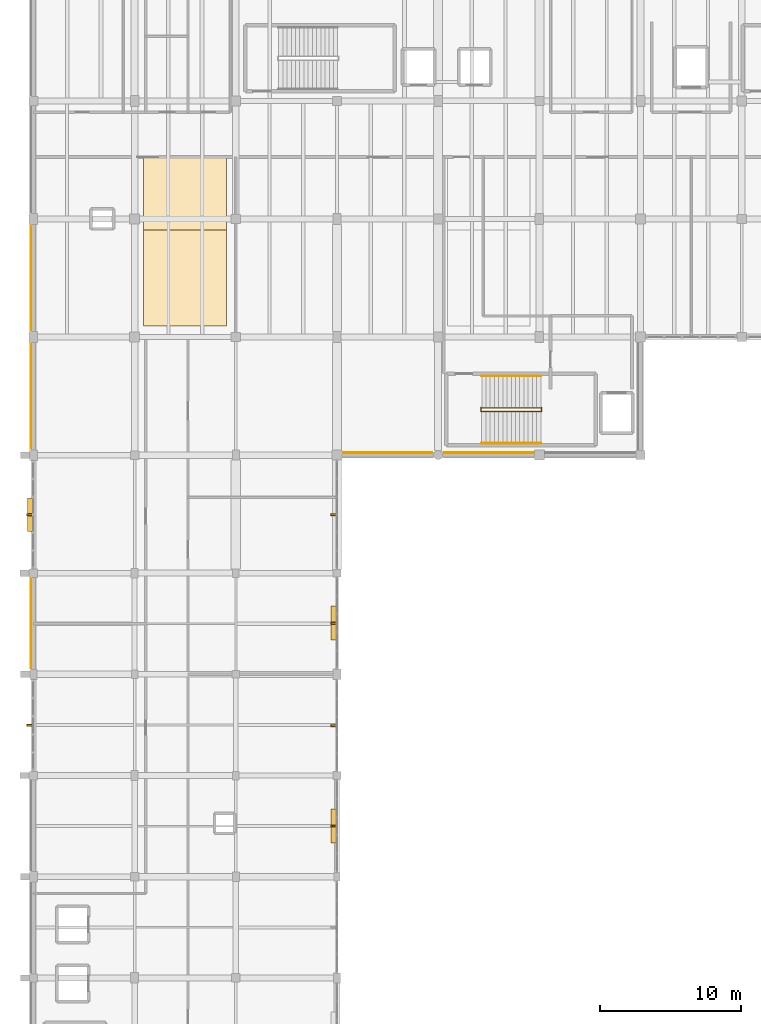
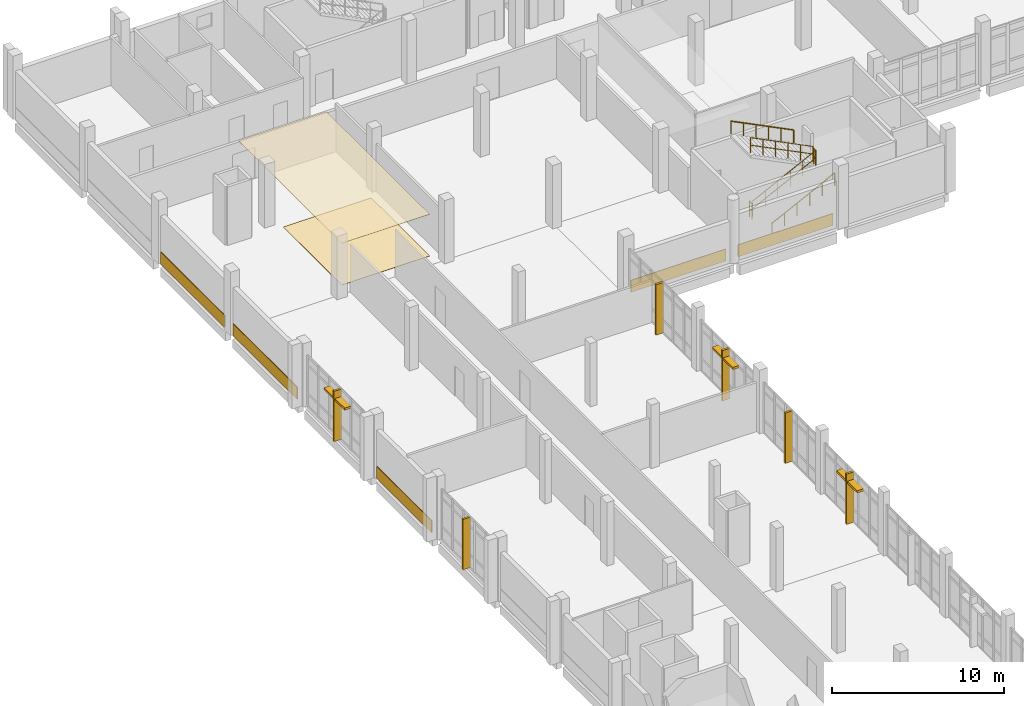
# One storey, part 54 of 57: 9 shading devices, 7 coverings, 6 railings.
"""IFC4 building model written with IfcOpenShell, lengths in metres."""

from ifc_helpers import new_model, si_unit, direction, frame, origin, origin_2d, place, context, subcontext, project, spatial, polyline, rectangle, circle, outline, extrude, material, layer, layer_set, type_object, element, save


model = new_model("IFC4")

# Units and contexts
model_context = context("Model", 3, precision=1e-05, world=origin(), true_north=direction((0.0, 1.0)))
body_context = subcontext(model_context, "Body", "Model", "MODEL_VIEW")
ifc_project = project(units=[si_unit("LENGTHUNIT", "METRE"), si_unit("AREAUNIT", "SQUARE_METRE"), si_unit("VOLUMEUNIT", "CUBIC_METRE"), si_unit("PLANEANGLEUNIT", "RADIAN"), si_unit("MASSUNIT", "GRAM", prefix="KILO")], contexts=[model_context])

# Site, building, storey
site_placement = place(None, origin())
site = spatial("IfcSite", under=ifc_project, at=site_placement, CompositionType="ELEMENT")
building_placement = place(site_placement, origin())
building = spatial("IfcBuilding", under=site, at=building_placement, Name="Kalluvel Institute of Natural Sciences", CompositionType="ELEMENT")
storey_placement = place(building_placement, frame((0.0, 0.0, 23.39990234375)))
storey = spatial("IfcBuildingStorey", under=building, at=storey_placement, Name="L05", CompositionType="ELEMENT", Elevation=23.39990234375)

# Coverings
ifc_material_1 = material(Name="Perforated Mineral-Fibre Acoustic Tile", Category="gypsum")
ifc_layer_1 = layer(ifc_material_1, 0.02490234375)
ifc_layer_set_1 = layer_set([ifc_layer_1], Name="Perforated Mineral-Fibre Acoustic Tile")
covering_type_1 = type_object("IfcCoveringType", Name="COV-CEIL-600", PredefinedType="CEILING", material=ifc_layer_set_1)
covering_1_placement = place(storey_placement, frame((0.0, 0.0, 2.9501953125)))
element("IfcCovering", 1, at=covering_1_placement, inside=storey, type_object=covering_type_1, Name="L05 laboratory acoustic ceiling panel 11", PredefinedType="CEILING", context=body_context, shape_type="SweptSolid", body=[
    extrude(outline(polyline([(21.85009765625, 103.60009765625), (27.75, 103.60009765625), (27.75, 115.60009765625), (21.85009765625, 115.60009765625), (21.85009765625, 103.60009765625)])), origin(), (0.0, 0.0, 1.0), 0.02490234375),
])
ifc_material_2 = material(Name="Sadarahalli Grey Granite Ashlar Concrete M40", Category="masonry")
ifc_layer_2 = layer(ifc_material_2, 0.044921875)
ifc_layer_set_2 = layer_set([ifc_layer_2], Name="Sadarahalli Grey Granite Ashlar Concrete M40")
covering_type_2 = type_object("IfcCoveringType", Name="COV-CLAD-STONE", PredefinedType="CLADDING", material=ifc_layer_set_2)
covering_2_placement = place(storey_placement, frame((13.820068359375, 107.0, 0.025146484375), z_axis=(0.0, 0.0, 1.0), x_axis=(0.0, 1.0, 0.0)))
element("IfcCovering", 2, at=covering_2_placement, inside=storey, type_object=covering_type_2, Name="L05 Sadarahalli granite plinth spandrel cladding 68", PredefinedType="CLADDING", context=body_context, shape_type="SweptSolid", body=[
    extrude(rectangle(XDim=7.43994140625, YDim=0.044921875, at=origin_2d()), origin(), (0.0, 0.0, 1.0), 0.85009765625),
])
for number, where, z_axis, x_axis, name in (
    (3, (39.21240234375, 94.570068359375, 0.025146484375), (0.0, 0.0, 1.0), (1.0, 0.0, 0.0), "L05 Sadarahalli granite plinth spandrel cladding 111"),
    (4, (46.387451171875, 94.570068359375, 0.025146484375), (0.0, 0.0, 1.0), (1.0, 0.0, 0.0), "L05 Sadarahalli granite plinth spandrel cladding 112"),
):
    element("IfcCovering", number, at=place(storey_placement, frame(where, z_axis=z_axis, x_axis=x_axis)), inside=storey, type_object=covering_type_2, Name=name, PredefinedType="CLADDING", context=body_context, shape_type="SweptSolid", body=[
        extrude(rectangle(XDim=6.364990234375, YDim=0.044921875, at=origin_2d()), origin(), (0.0, 0.0, 1.0), 0.85009765625),
    ])
covering_3_placement = place(storey_placement, frame((13.830078125, 82.425048828125, 0.025146484375), z_axis=(0.0, 0.0, 1.0), x_axis=(0.0, 1.0, 0.0)))
element("IfcCovering", 5, at=covering_3_placement, inside=storey, type_object=covering_type_2, Name="L05 Sadarahalli granite plinth spandrel cladding 187", PredefinedType="CLADDING", context=body_context, shape_type="SweptSolid", body=[
    extrude(rectangle(XDim=6.389892578125, YDim=0.044921875, at=origin_2d()), origin(), (0.0, 0.0, 1.0), 0.85009765625),
])
covering_4_placement = place(storey_placement, frame((13.830078125, 98.58740234375, 0.025146484375), z_axis=(0.0, 0.0, 1.0), x_axis=(0.0, 1.0, 0.0)))
element("IfcCovering", 6, at=covering_4_placement, inside=storey, type_object=covering_type_2, Name="L05 Sadarahalli granite plinth spandrel cladding 188", PredefinedType="CLADDING", context=body_context, shape_type="SweptSolid", body=[
    extrude(rectangle(XDim=7.465087890625, YDim=0.044921875, at=origin_2d()), origin(), (0.0, 0.0, 1.0), 0.85009765625),
])
ifc_material_3 = material(Name="Seamless Chemical-Resistant Epoxy Flooring", Category="resin")
ifc_layer_3 = layer(ifc_material_3, 0.014892578125)
ifc_layer_set_3 = layer_set([ifc_layer_3], Name="Seamless Chemical-Resistant Epoxy Flooring")
covering_type_3 = type_object("IfcCoveringType", Name="COV-FLR-EPOXY", PredefinedType="FLOORING", material=ifc_layer_set_3)
covering_5_placement = place(storey_placement, origin())
element("IfcCovering", 7, at=covering_5_placement, inside=storey, type_object=covering_type_3, Name="L05 seamless epoxy laboratory floor finish 11", PredefinedType="FLOORING", context=body_context, shape_type="SweptSolid", body=[
    extrude(outline(polyline([(21.85009765625, 103.60009765625), (27.75, 103.60009765625), (27.75, 110.39990234375), (21.85009765625, 110.39990234375), (21.85009765625, 103.60009765625)])), origin(), (0.0, 0.0, 1.0), 0.01513671875),
])

# Railings
ifc_material_4 = material(Name="Galvanized Fire-Rated Steel", Category="steel")
railing_type_1 = type_object("IfcRailingType", Name="RL-GD-STAIR", PredefinedType="BALUSTRADE", material=ifc_material_4)
railing_1_placement = place(storey_placement, frame((45.89990234375, 97.510009765625, 0.150146484375)))
element("IfcRailing", 8, at=railing_1_placement, inside=storey, type_object=railing_type_1, Name="L05 ST3 stair guard 1", PredefinedType="BALUSTRADE", context=body_context, shape_type="SweptSolid", body=[
    extrude(circle(Radius=0.02392578125, at=origin_2d()), frame((0.0, 0.0, 1.09619140625), z_axis=(0.894447986312, 0.0, 0.447172002457), x_axis=(0.0, 1.0, 0.0)), (0.0, 0.0, 1.0), 4.69580078125),
    extrude(circle(Radius=0.02392578125, at=origin_2d()), frame((0.0, 0.0, 0.56005859375), z_axis=(0.894447986312, 0.0, 0.447172002457), x_axis=(0.0, 1.0, 0.0)), (0.0, 0.0, 1.0), 4.69580078125),
    extrude(circle(Radius=0.02099609375, at=origin_2d()), origin(), (0.0, 0.0, 1.0), 1.072021484375),
    extrude(circle(Radius=0.02099609375, at=origin_2d()), frame((0.840087890625, 0.0, 0.419921875)), (0.0, 0.0, 1.0), 1.072021484375),
    extrude(circle(Radius=0.02099609375, at=origin_2d()), frame((1.68017578125, 0.0, 0.83984375)), (0.0, 0.0, 1.0), 1.072021484375),
    extrude(circle(Radius=0.02099609375, at=origin_2d()), frame((2.52001953125, 0.0, 1.260009765625)), (0.0, 0.0, 1.0), 1.072021484375),
    extrude(circle(Radius=0.02099609375, at=origin_2d()), frame((3.360107421875, 0.0, 1.679931640625)), (0.0, 0.0, 1.0), 1.072021484375),
    extrude(circle(Radius=0.02099609375, at=origin_2d()), frame((4.2001953125, 0.0, 2.099853515625)), (0.0, 0.0, 1.0), 1.072021484375),
])
railing_2_placement = place(storey_placement, frame((50.14990234375, 97.4951171875, 2.25)))
element("IfcRailing", 9, at=railing_2_placement, inside=storey, type_object=railing_type_1, Name="L05 ST3 stair guard 2", PredefinedType="BALUSTRADE", context=body_context, shape_type="SweptSolid", body=[
    extrude(circle(Radius=0.02392578125, at=origin_2d()), frame((0.0, 0.0, 1.09619140625), z_axis=(0.0, 1.0, 0.0), x_axis=(-1.0, 0.0, 0.0)), (0.0, 0.0, 1.0), 0.27978515625),
    extrude(circle(Radius=0.02392578125, at=origin_2d()), frame((0.0, 0.0, 0.56005859375), z_axis=(0.0, 1.0, 0.0), x_axis=(-1.0, 0.0, 0.0)), (0.0, 0.0, 1.0), 0.27978515625),
    extrude(circle(Radius=0.02099609375, at=origin_2d()), origin(), (0.0, 0.0, 1.0), 1.072021484375),
    extrude(circle(Radius=0.02099609375, at=origin_2d()), frame((0.0, 0.27978515625, 0.0)), (0.0, 0.0, 1.0), 1.072021484375),
])
railing_3_placement = place(storey_placement, frame((50.10009765625, 97.760009765625, 2.400146484375)))
element("IfcRailing", 10, at=railing_3_placement, inside=storey, type_object=railing_type_1, Name="L05 ST3 stair guard 3", PredefinedType="BALUSTRADE", context=body_context, shape_type="SweptSolid", body=[
    extrude(circle(Radius=0.02392578125, at=origin_2d()), frame((0.0, 0.0, 1.09619140625), z_axis=(-0.894447986312, 0.0, 0.447172002457), x_axis=(0.0, -1.0, 0.0)), (0.0, 0.0, 1.0), 4.69580078125),
    extrude(circle(Radius=0.02392578125, at=origin_2d()), frame((0.0, 0.0, 0.56005859375), z_axis=(-0.894447986312, 0.0, 0.447172002457), x_axis=(0.0, -1.0, 0.0)), (0.0, 0.0, 1.0), 4.69580078125),
    extrude(circle(Radius=0.02099609375, at=origin_2d()), origin(), (0.0, 0.0, 1.0), 1.072021484375),
    extrude(circle(Radius=0.02099609375, at=origin_2d()), frame((-0.840087890625, 0.0, 0.419921875)), (0.0, 0.0, 1.0), 1.072021484375),
    extrude(circle(Radius=0.02099609375, at=origin_2d()), frame((-1.68017578125, 0.0, 0.83984375)), (0.0, 0.0, 1.0), 1.072021484375),
    extrude(circle(Radius=0.02099609375, at=origin_2d()), frame((-2.52001953125, 0.0, 1.260009765625)), (0.0, 0.0, 1.0), 1.072021484375),
    extrude(circle(Radius=0.02099609375, at=origin_2d()), frame((-3.360107421875, 0.0, 1.679931640625)), (0.0, 0.0, 1.0), 1.072021484375),
    extrude(circle(Radius=0.02099609375, at=origin_2d()), frame((-4.2001953125, 0.0, 2.099853515625)), (0.0, 0.0, 1.0), 1.072021484375),
])
railing_4_placement = place(storey_placement, frame((45.85009765625, 97.4951171875, 0.0)))
element("IfcRailing", 11, at=railing_4_placement, inside=storey, type_object=railing_type_1, Name="L05 ST3 stair guard 4", PredefinedType="BALUSTRADE", context=body_context, shape_type="SweptSolid", body=[
    extrude(circle(Radius=0.02392578125, at=origin_2d()), frame((0.0, 0.0, 1.09619140625), z_axis=(0.0, 1.0, 0.0), x_axis=(-1.0, 0.0, 0.0)), (0.0, 0.0, 1.0), 0.27978515625),
    extrude(circle(Radius=0.02392578125, at=origin_2d()), frame((0.0, 0.0, 0.56005859375), z_axis=(0.0, 1.0, 0.0), x_axis=(-1.0, 0.0, 0.0)), (0.0, 0.0, 1.0), 0.27978515625),
    extrude(circle(Radius=0.02099609375, at=origin_2d()), origin(), (0.0, 0.0, 1.0), 1.072021484375),
    extrude(circle(Radius=0.02099609375, at=origin_2d()), frame((0.0, 0.27978515625, 0.0)), (0.0, 0.0, 1.0), 1.072021484375),
])
railing_type_2 = type_object("IfcRailingType", Name="RL-HR-STAIR", PredefinedType="HANDRAIL", material=ifc_material_4)
railing_5_placement = place(storey_placement, frame((45.89990234375, 95.25, 0.150146484375)))
element("IfcRailing", 12, at=railing_5_placement, inside=storey, type_object=railing_type_2, Name="L05 ST3 stair handrail 1", PredefinedType="HANDRAIL", context=body_context, shape_type="SweptSolid", body=[
    extrude(circle(Radius=0.02392578125, at=origin_2d()), frame((0.0, 0.0, 0.89599609375), z_axis=(0.894447986312, 0.0, 0.447172002457), x_axis=(0.0, 1.0, 0.0)), (0.0, 0.0, 1.0), 4.69580078125),
    extrude(circle(Radius=0.02099609375, at=origin_2d()), origin(), (0.0, 0.0, 1.0), 0.871826171875),
    extrude(circle(Radius=0.02099609375, at=origin_2d()), frame((0.840087890625, 0.0, 0.419921875)), (0.0, 0.0, 1.0), 0.871826171875),
    extrude(circle(Radius=0.02099609375, at=origin_2d()), frame((1.68017578125, 0.0, 0.83984375)), (0.0, 0.0, 1.0), 0.871826171875),
    extrude(circle(Radius=0.02099609375, at=origin_2d()), frame((2.52001953125, 0.0, 1.260009765625)), (0.0, 0.0, 1.0), 0.871826171875),
    extrude(circle(Radius=0.02099609375, at=origin_2d()), frame((3.360107421875, 0.0, 1.679931640625)), (0.0, 0.0, 1.0), 0.871826171875),
    extrude(circle(Radius=0.02099609375, at=origin_2d()), frame((4.2001953125, 0.0, 2.099853515625)), (0.0, 0.0, 1.0), 0.871826171875),
])
railing_6_placement = place(storey_placement, frame((50.10009765625, 100.02001953125, 2.400146484375)))
element("IfcRailing", 13, at=railing_6_placement, inside=storey, type_object=railing_type_2, Name="L05 ST3 stair handrail 2", PredefinedType="HANDRAIL", context=body_context, shape_type="SweptSolid", body=[
    extrude(circle(Radius=0.02392578125, at=origin_2d()), frame((0.0, 0.0, 0.89599609375), z_axis=(-0.894447986312, 0.0, 0.447172002457), x_axis=(0.0, -1.0, 0.0)), (0.0, 0.0, 1.0), 4.69580078125),
    extrude(circle(Radius=0.02099609375, at=origin_2d()), origin(), (0.0, 0.0, 1.0), 0.871826171875),
    extrude(circle(Radius=0.02099609375, at=origin_2d()), frame((-0.840087890625, 0.0, 0.419921875)), (0.0, 0.0, 1.0), 0.871826171875),
    extrude(circle(Radius=0.02099609375, at=origin_2d()), frame((-1.68017578125, 0.0, 0.83984375)), (0.0, 0.0, 1.0), 0.871826171875),
    extrude(circle(Radius=0.02099609375, at=origin_2d()), frame((-2.52001953125, 0.0, 1.260009765625)), (0.0, 0.0, 1.0), 0.871826171875),
    extrude(circle(Radius=0.02099609375, at=origin_2d()), frame((-3.360107421875, 0.0, 1.679931640625)), (0.0, 0.0, 1.0), 0.871826171875),
    extrude(circle(Radius=0.02099609375, at=origin_2d()), frame((-4.2001953125, 0.0, 2.099853515625)), (0.0, 0.0, 1.0), 0.871826171875),
])

# Shading devices
shading_device_type_1 = type_object("IfcShadingDeviceType", Name="SHD-FIN-STONE", PredefinedType="USERDEFINED", material=ifc_material_2)
for number, where, z_axis, x_axis, name in (
    (14, (13.780029296875, 75.175048828125, 0.0), (0.0, 0.0, 1.0), (0.0, 1.0, 0.0), "L05 monsoon lancet shading fin 188"),
    (15, (13.780029296875, 90.16259765625, 0.0), (0.0, 0.0, 1.0), (0.0, 1.0, 0.0), "L05 monsoon lancet shading fin 189"),
    (16, (35.3798828125, 68.012451171875, 0.0), (0.0, 0.0, 1.0), (0.0, 1.0, 0.0), "L05 monsoon lancet shading fin 198"),
    (17, (35.3798828125, 75.14990234375, 0.0), (0.0, 0.0, 1.0), (0.0, 1.0, 0.0), "L05 monsoon lancet shading fin 200"),
    (18, (35.3798828125, 82.449951171875, 0.0), (0.0, 0.0, 1.0), (0.0, 1.0, 0.0), "L05 monsoon lancet shading fin 201"),
    (19, (35.3798828125, 90.16259765625, 0.0), (0.0, 0.0, 1.0), (0.0, 1.0, 0.0), "L05 monsoon lancet shading fin 203"),
):
    element("IfcShadingDevice", number, at=place(storey_placement, frame(where, z_axis=z_axis, x_axis=x_axis)), inside=storey, type_object=shading_device_type_1, Name=name, ObjectType="MONSOON FIN", PredefinedType="USERDEFINED", context=body_context, shape_type="SweptSolid", body=[
        extrude(rectangle(XDim=0.139892578125, YDim=0.47998046875, at=origin_2d()), origin(), (0.0, 0.0, 1.0), 3.570068359375),
    ])
ifc_material_5 = material(Name="Aluminium AW-6063 T6", Category="aluminium")
shading_device_type_2 = type_object("IfcShadingDeviceType", Name="SHD-LOUV-ALU", PredefinedType="JALOUSIE", material=ifc_material_5)
for number, where, z_axis, x_axis, name in (
    (20, (13.800048828125, 90.16259765625, 2.89013671875), (0.0, 0.0, 1.0), (0.0, 1.0, 0.0), "L05 aluminium sun-shading louvre 190"),
    (21, (35.39990234375, 68.012451171875, 2.89013671875), (0.0, 0.0, 1.0), (0.0, 1.0, 0.0), "L05 aluminium sun-shading louvre 199"),
    (22, (35.39990234375, 82.449951171875, 2.89013671875), (0.0, 0.0, 1.0), (0.0, 1.0, 0.0), "L05 aluminium sun-shading louvre 202"),
):
    element("IfcShadingDevice", number, at=place(storey_placement, frame(where, z_axis=z_axis, x_axis=x_axis)), inside=storey, type_object=shading_device_type_2, Name=name, PredefinedType="JALOUSIE", context=body_context, shape_type="SweptSolid", body=[
        extrude(rectangle(XDim=2.39990234375, YDim=0.419921875, at=origin_2d()), origin(), (0.0, 0.0, 1.0), 0.159912109375),
    ])

save(model, "model.ifc")
